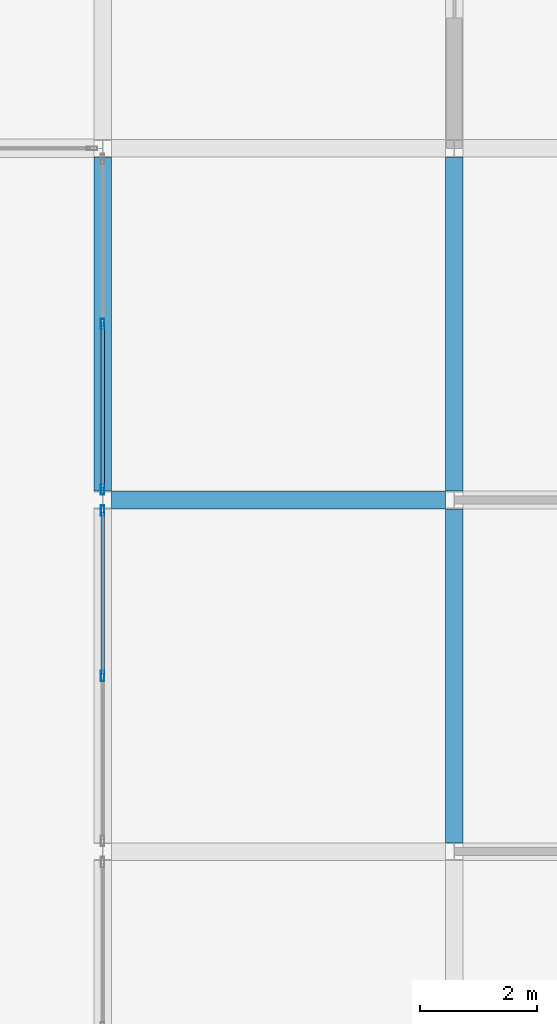
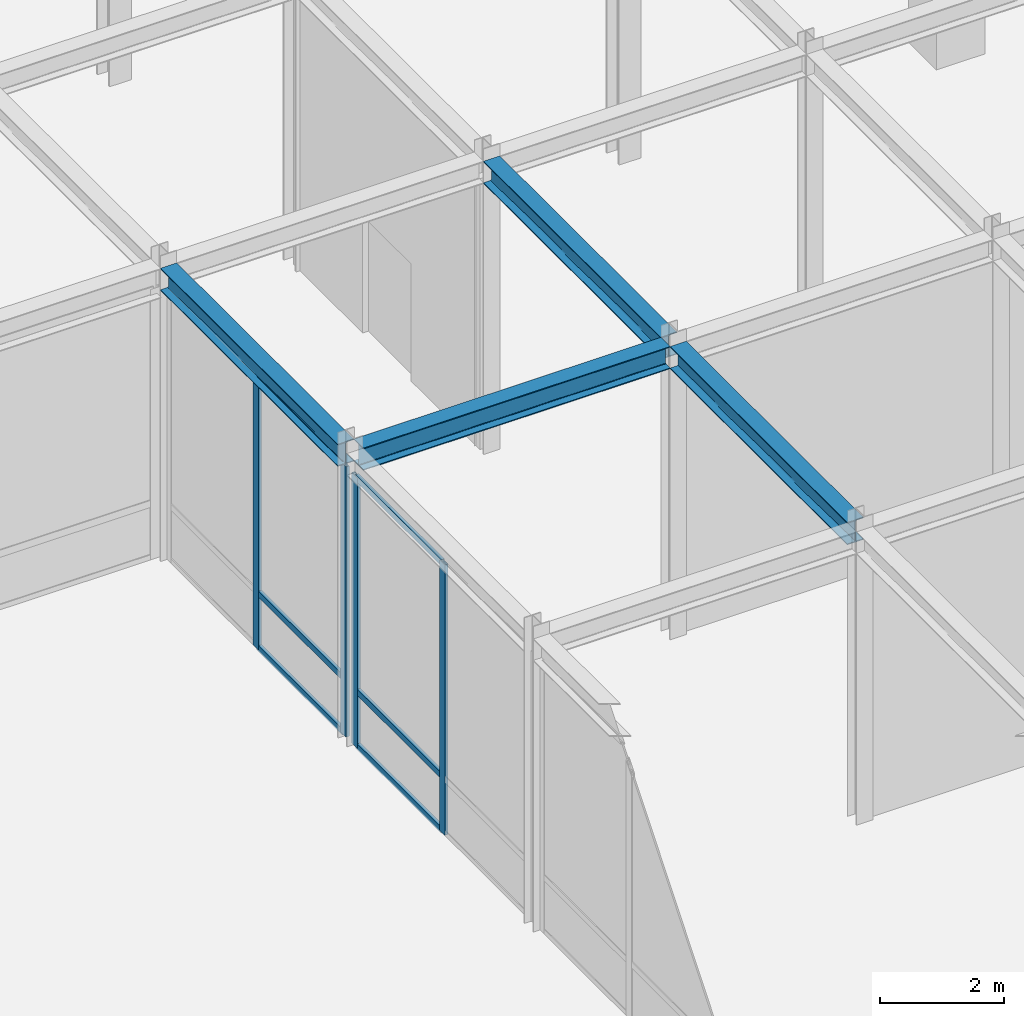
# One storey, part 52 of 108: 10 members, 4 beams, 2 elements without a shape of their own.
"""IFC4 building model written with IfcOpenShell, lengths in metres."""

from ifc_helpers import new_model, si_unit, direction, frame, origin, origin_2d, place, context, subcontext, project, spatial, hollow_rectangle, i_section, extrude, material, layer, layer_set, material_profile, profile_set, type_object, element, aggregate, save


model = new_model("IFC4")

# Units and contexts
model_context = context("Model", 3, precision=1e-05, world=origin(), true_north=direction((0.0, 1.0)))
body_context = subcontext(model_context, "Body", "Model", "MODEL_VIEW")
ifc_project = project(units=[si_unit("LENGTHUNIT", "METRE"), si_unit("AREAUNIT", "SQUARE_METRE"), si_unit("VOLUMEUNIT", "CUBIC_METRE"), si_unit("PLANEANGLEUNIT", "RADIAN"), si_unit("MASSUNIT", "GRAM", prefix="KILO")], contexts=[model_context])

# Site, building, storey
site_placement = place(None, origin())
site = spatial("IfcSite", under=ifc_project, at=site_placement, CompositionType="ELEMENT")
building_placement = place(site_placement, origin())
building = spatial("IfcBuilding", under=site, at=building_placement, Name="Zlatovratsky Civic Hall", CompositionType="ELEMENT")
storey_placement = place(building_placement, frame((0.0, 0.0, 6.0)))
storey = spatial("IfcBuildingStorey", under=building, at=storey_placement, Name="L02", CompositionType="ELEMENT", Elevation=6.0)

# Beams
ifc_material_1 = material(Name="Steel S355", Category="steel")
ifc_material_profile_1 = material_profile(ifc_material_1, i_section(OverallWidth=0.300048828125, OverallDepth=0.43994140625, WebThickness=0.010986328125, FlangeThickness=0.01806640625, FilletRadius=0.02197265625, at=origin_2d()), Name="45Sh1")
ifc_profile_set_1 = profile_set([ifc_material_profile_1], Name="Steel S355")
beam_type = type_object("IfcBeamType", Name="Beam_TowerLow_45Sh1", PredefinedType="BEAM", material=ifc_profile_set_1)
for number, where, z_axis, x_axis, name in (
    (1, (48.14990234375, 60.0, 5.5400390625), (1.0, 0.0, 0.0), (0.0, 1.0, 0.0), "BM-1861"),
    (2, (48.0, 60.14990234375, 5.5400390625), (0.0, 1.0, 0.0), (-1.0, 0.0, 0.0), "BM-2138"),
    (3, (54.0, 54.14990234375, 5.5400390625), (0.0, 1.0, 0.0), (-1.0, 0.0, 0.0), "BM-2154"),
    (4, (54.0, 60.14990234375, 5.5400390625), (0.0, 1.0, 0.0), (-1.0, 0.0, 0.0), "BM-2155"),
):
    element("IfcBeam", number, at=place(storey_placement, frame(where, z_axis=z_axis, x_axis=x_axis)), inside=storey, type_object=beam_type, Name=name, PredefinedType="BEAM", context=body_context, shape_type="SweptSolid", body=[
        extrude(i_section(OverallWidth=0.300048828125, OverallDepth=0.43994140625, WebThickness=0.010986328125, FlangeThickness=0.01806640625, FilletRadius=0.02197265625, at=origin_2d()), origin(), (0.0, 0.0, 1.0), 5.7001953125),
    ])

# Curtain wall, members
ifc_material_2 = material(Name="Anodised bronze aluminium", Category="aluminium")
ifc_layer = layer(ifc_material_2, 0.159912109375)
ifc_layer_set = layer_set([ifc_layer], Name="Anodised bronze aluminium")
curtain_wall_type = type_object("IfcCurtainWallType", Name="CurtainWall_Bronze_5700x5310_06", PredefinedType="NOTDEFINED", material=ifc_layer_set)
curtain_wall_1_placement = place(storey_placement, origin())
curtain_wall_1 = element("IfcCurtainWall", 5, at=curtain_wall_1_placement, inside=storey, type_object=curtain_wall_type, Name="CW-025", PredefinedType="NOTDEFINED")
ifc_material_profile_2 = material_profile(ifc_material_2, hollow_rectangle(XDim=0.06005859375, YDim=0.179931640625, WallThickness=0.00390625, at=origin_2d()), Name="ALU 60x180x4")
ifc_profile_set_2 = profile_set([ifc_material_profile_2], Name="Anodised bronze aluminium")
member_type_1 = type_object("IfcMemberType", Name="CW_Mullion_60x180", PredefinedType="MULLION", material=ifc_profile_set_2)
member_1_placement = place(storey_placement, frame((48.0, 57.0, 0.0), z_axis=(0.0, 0.0, 1.0), x_axis=(-1.0, 0.0, 0.0)))
member_1 = element("IfcMember", 6, at=member_1_placement, type_object=member_type_1, Name="CW-06 mullion 2", PredefinedType="MULLION", context=body_context, shape_type="SweptSolid", body=[
    extrude(hollow_rectangle(XDim=0.06005859375, YDim=0.179931640625, WallThickness=0.00390625, at=origin_2d()), origin(), (0.0, 0.0, 1.0), 5.31005859375),
])
member_2_placement = place(storey_placement, frame((48.0, 59.820068359375, 0.0), z_axis=(0.0, 0.0, 1.0), x_axis=(-1.0, 0.0, 0.0)))
member_2 = element("IfcMember", 7, at=member_2_placement, type_object=member_type_1, Name="CW-06 mullion 3", PredefinedType="MULLION", context=body_context, shape_type="SweptSolid", body=[
    extrude(hollow_rectangle(XDim=0.06005859375, YDim=0.179931640625, WallThickness=0.00390625, at=origin_2d()), origin(), (0.0, 0.0, 1.0), 5.31005859375),
])

curtain_wall_2_placement = place(storey_placement, origin())
curtain_wall_2 = element("IfcCurtainWall", 8, at=curtain_wall_2_placement, inside=storey, type_object=curtain_wall_type, Name="CW-026", PredefinedType="NOTDEFINED")
member_3_placement = place(storey_placement, frame((48.0, 60.179931640625, 0.0), z_axis=(0.0, 0.0, 1.0), x_axis=(-1.0, 0.0, 0.0)))
member_3 = element("IfcMember", 9, at=member_3_placement, type_object=member_type_1, Name="CW-06 mullion 1", PredefinedType="MULLION", context=body_context, shape_type="SweptSolid", body=[
    extrude(hollow_rectangle(XDim=0.06005859375, YDim=0.179931640625, WallThickness=0.00390625, at=origin_2d()), origin(), (0.0, 0.0, 1.0), 5.31005859375),
])
member_4_placement = place(storey_placement, frame((48.0, 63.0, 0.0), z_axis=(0.0, 0.0, 1.0), x_axis=(-1.0, 0.0, 0.0)))
member_4 = element("IfcMember", 10, at=member_4_placement, type_object=member_type_1, Name="CW-06 mullion 2", PredefinedType="MULLION", context=body_context, shape_type="SweptSolid", body=[
    extrude(hollow_rectangle(XDim=0.06005859375, YDim=0.179931640625, WallThickness=0.00390625, at=origin_2d()), origin(), (0.0, 0.0, 1.0), 5.31005859375),
])

# Member
ifc_material_profile_3 = material_profile(ifc_material_2, hollow_rectangle(XDim=0.06005859375, YDim=0.1201171875, WallThickness=0.00390625, at=origin_2d()), Name="ALU 60x120x4")
ifc_profile_set_3 = profile_set([ifc_material_profile_3], Name="Anodised bronze aluminium")
member_type_2 = type_object("IfcMemberType", Name="CW_Transom_60x120", PredefinedType="USERDEFINED", material=ifc_profile_set_3)
member_5_placement = place(storey_placement, frame((48.0, 57.030029296875, 0.030029296875), z_axis=(0.0, 1.0, 0.0), x_axis=(-1.0, 0.0, 0.0)))
member_5 = element("IfcMember", 11, at=member_5_placement, type_object=member_type_2, Name="CW-06 transom 2.1", ObjectType="TRANSOM", PredefinedType="USERDEFINED", context=body_context, shape_type="SweptSolid", body=[
    extrude(hollow_rectangle(XDim=0.06005859375, YDim=0.1201171875, WallThickness=0.00390625, at=origin_2d()), origin(), (0.0, 0.0, 1.0), 2.760009765625),
])

member_6_placement = place(storey_placement, frame((48.0, 57.030029296875, 1.10009765625), z_axis=(0.0, 1.0, 0.0), x_axis=(-1.0, 0.0, 0.0)))
member_6 = element("IfcMember", 12, at=member_6_placement, type_object=member_type_2, Name="CW-06 transom 2.2", ObjectType="TRANSOM", PredefinedType="USERDEFINED", context=body_context, shape_type="SweptSolid", body=[
    extrude(hollow_rectangle(XDim=0.06005859375, YDim=0.1201171875, WallThickness=0.00390625, at=origin_2d()), origin(), (0.0, 0.0, 1.0), 2.760009765625),
])

member_7_placement = place(storey_placement, frame((48.0, 57.030029296875, 5.280029296875), z_axis=(0.0, 1.0, 0.0), x_axis=(-1.0, 0.0, 0.0)))
member_7 = element("IfcMember", 13, at=member_7_placement, type_object=member_type_2, Name="CW-06 transom 2.3", ObjectType="TRANSOM", PredefinedType="USERDEFINED", context=body_context, shape_type="SweptSolid", body=[
    extrude(hollow_rectangle(XDim=0.06005859375, YDim=0.1201171875, WallThickness=0.00390625, at=origin_2d()), origin(), (0.0, 0.0, 1.0), 2.760009765625),
])

aggregate(curtain_wall_1, [member_1, member_2, member_5, member_6, member_7])

member_8_placement = place(storey_placement, frame((48.0, 60.2099609375, 0.030029296875), z_axis=(0.0, 1.0, 0.0), x_axis=(-1.0, 0.0, 0.0)))
member_8 = element("IfcMember", 14, at=member_8_placement, type_object=member_type_2, Name="CW-06 transom 1.1", ObjectType="TRANSOM", PredefinedType="USERDEFINED", context=body_context, shape_type="SweptSolid", body=[
    extrude(hollow_rectangle(XDim=0.06005859375, YDim=0.1201171875, WallThickness=0.00390625, at=origin_2d()), origin(), (0.0, 0.0, 1.0), 2.760009765625),
])

member_9_placement = place(storey_placement, frame((48.0, 60.2099609375, 1.10009765625), z_axis=(0.0, 1.0, 0.0), x_axis=(-1.0, 0.0, 0.0)))
member_9 = element("IfcMember", 15, at=member_9_placement, type_object=member_type_2, Name="CW-06 transom 1.2", ObjectType="TRANSOM", PredefinedType="USERDEFINED", context=body_context, shape_type="SweptSolid", body=[
    extrude(hollow_rectangle(XDim=0.06005859375, YDim=0.1201171875, WallThickness=0.00390625, at=origin_2d()), origin(), (0.0, 0.0, 1.0), 2.760009765625),
])

member_10_placement = place(storey_placement, frame((48.0, 60.2099609375, 5.280029296875), z_axis=(0.0, 1.0, 0.0), x_axis=(-1.0, 0.0, 0.0)))
member_10 = element("IfcMember", 16, at=member_10_placement, type_object=member_type_2, Name="CW-06 transom 1.3", ObjectType="TRANSOM", PredefinedType="USERDEFINED", context=body_context, shape_type="SweptSolid", body=[
    extrude(hollow_rectangle(XDim=0.06005859375, YDim=0.1201171875, WallThickness=0.00390625, at=origin_2d()), origin(), (0.0, 0.0, 1.0), 2.760009765625),
])

aggregate(curtain_wall_2, [member_3, member_4, member_8, member_9, member_10])

save(model, "model.ifc")
